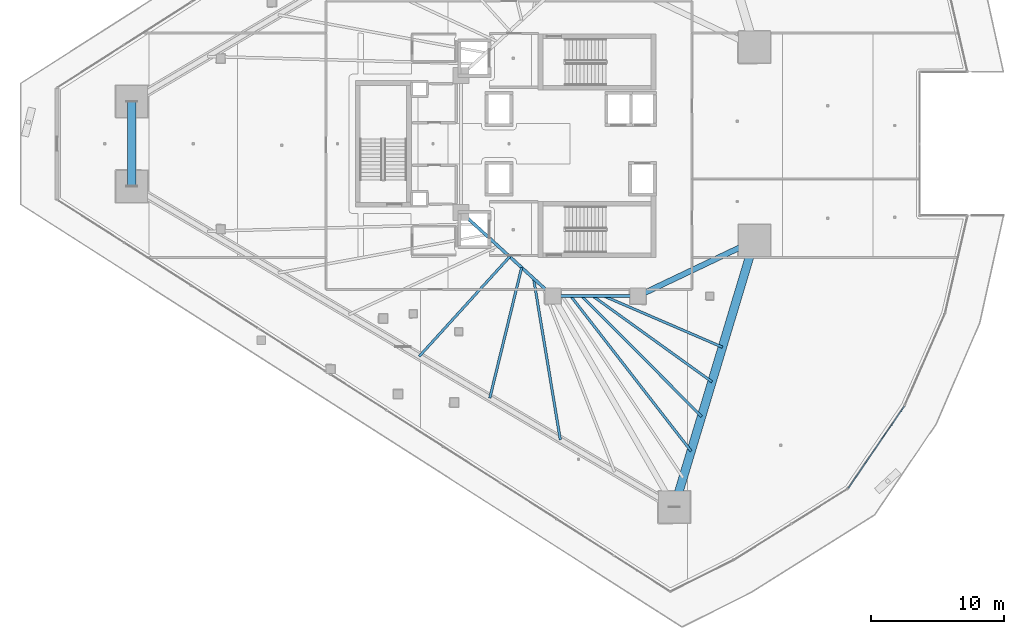
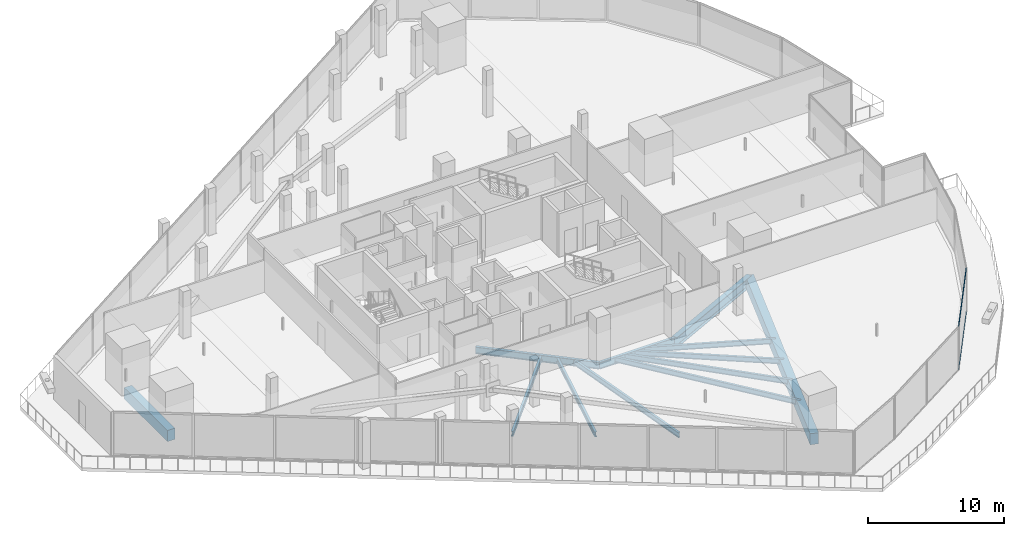
# One storey, part 11 of 43: 12 beams, 2 members, 1 element without a shape of its own.
"""IFC4 building model written with IfcOpenShell, lengths in metres."""

import ifcopenshell
import ifcopenshell.guid

model = None  # the IFC model being written
_history = None  # IfcOwnerHistory: only IFC2X3 demands one
_inside = {}  # id of a spatial element -> (the spatial element, [elements in it])
_under = {}  # id of a project, library or spatial element -> (it, [spatial elements below it])
_declared = {}  # id of a project -> (the project, [libraries it declares])
_typed = {}  # id of a type object -> (the type object, [elements of that type])
_made_of = {}  # id of a material, layer set ... -> (it, [elements and type objects made of it])


def new_model(schema):
    """Start an empty IFC model of exactly this schema.

    Asked for "IFC4X3", IfcOpenShell would pick the latest addendum, in which some entities
    have other attributes; the version numbers below select the first issue.
    IFC2X3 requires an IfcOwnerHistory on every rooted entity: one is made here for all.
    """
    global model, _history
    if schema == "IFC4X3":
        model = ifcopenshell.file(schema_version=(4, 3, 0, 0))
    else:
        model = ifcopenshell.file(schema=schema)
    _inside.clear()
    _under.clear()
    _declared.clear()
    _typed.clear()
    _made_of.clear()
    _history = None
    if model.schema == "IFC2X3":
        org = make("IfcOrganization", Name="unknown")
        user = make(
            "IfcPersonAndOrganization",
            ThePerson=make("IfcPerson", FamilyName="unknown"),
            TheOrganization=org,
        )
        app = make(
            "IfcApplication",
            ApplicationDeveloper=org,
            Version="unknown",
            ApplicationFullName="unknown",
            ApplicationIdentifier="unknown",
        )
        _history = make(
            "IfcOwnerHistory",
            OwningUser=user,
            OwningApplication=app,
            ChangeAction="ADDED",
            CreationDate=0,
        )
    return model


def make(cls, **values):
    """One entity of the class cls with the attributes given. An attribute that is None is left unset."""
    return model.create_entity(
        cls, **{name: value for name, value in values.items() if value is not None}
    )


def rooted(cls, **values):
    """An entity with a GlobalId (a new one), such as an element, a storey or a relation."""
    return make(cls, GlobalId=ifcopenshell.guid.new(), OwnerHistory=_history, **values)


def si_unit(unit_type, name, prefix=None):
    """IfcSIUnit, for example si_unit("LENGTHUNIT", "METRE", prefix="MILLI")."""
    return make("IfcSIUnit", UnitType=unit_type, Prefix=prefix, Name=name)


def assignment(units):
    """IfcUnitAssignment: the units of a project."""
    return None if units is None else make("IfcUnitAssignment", Units=units)


def point(xyz):
    """IfcCartesianPoint."""
    return None if xyz is None else make("IfcCartesianPoint", Coordinates=xyz)


def direction(xyz):
    """IfcDirection."""
    return None if xyz is None else make("IfcDirection", DirectionRatios=xyz)


def frame(location, z_axis=None, x_axis=None):
    """IfcAxis2Placement3D, a coordinate frame: its origin and axes. An axis left out is left unset."""
    return make(
        "IfcAxis2Placement3D",
        Location=point(location),
        Axis=direction(z_axis),
        RefDirection=direction(x_axis),
    )


def frame_2d(location, x_axis=None):
    """IfcAxis2Placement2D, a coordinate frame in the plane: its origin and x axis."""
    return make(
        "IfcAxis2Placement2D", Location=point(location), RefDirection=direction(x_axis)
    )


def origin():
    """The frame at (0, 0, 0) with its axes left unset."""
    return frame((0.0, 0.0, 0.0))


def origin_2d():
    """The frame at (0, 0) in the plane with its x axis left unset."""
    return frame_2d((0.0, 0.0))


def place(relative_to, where):
    """IfcLocalPlacement: puts the frame where relative to a parent placement (None: the world)."""
    return make(
        "IfcLocalPlacement", PlacementRelTo=relative_to, RelativePlacement=where
    )


def context(
    kind, dimensions, precision=None, world=None, true_north=None, identifier=None
):
    """IfcGeometricRepresentationContext, for example the 3D "Model" context."""
    return make(
        "IfcGeometricRepresentationContext",
        ContextIdentifier=identifier,
        ContextType=kind,
        CoordinateSpaceDimension=dimensions,
        Precision=precision,
        WorldCoordinateSystem=world,
        TrueNorth=true_north,
    )


def subcontext(parent, identifier, kind, view, scale=None):
    """IfcGeometricRepresentationSubContext, for example "Body" below "Model"."""
    return make(
        "IfcGeometricRepresentationSubContext",
        ContextIdentifier=identifier,
        ContextType=kind,
        ParentContext=parent,
        TargetScale=scale,
        TargetView=view,
    )


def project(units=None, contexts=None):
    """IfcProject with its units and contexts."""
    return rooted(
        "IfcProject",
        Name="project",
        RepresentationContexts=contexts,
        UnitsInContext=assignment(units),
    )


def spatial(cls, under=None, at=None, **own):
    """A site, building, storey or space (cls), placed at a placement, below another one or the project."""
    s = rooted(cls, ObjectPlacement=at, **own)
    if under is not None:
        _under.setdefault(under.id(), (under, []))[1].append(s)
    return s


def profile(cls, at=None, kind="AREA", **sizes):
    """A parametric profile (cls). Its sizes go by their IFC names, for example OverallWidth=200.0."""
    return make(cls, ProfileType=kind, Position=at, **sizes)


def rectangle(**sizes):
    """IfcRectangleProfileDef."""
    return profile("IfcRectangleProfileDef", **sizes)


def hollow_rectangle(**sizes):
    """IfcRectangleHollowProfileDef."""
    return profile("IfcRectangleHollowProfileDef", **sizes)


def i_section(**sizes):
    """IfcIShapeProfileDef."""
    return profile("IfcIShapeProfileDef", **sizes)


def extrude(swept, where, along, depth):
    """IfcExtrudedAreaSolid: the profile swept, set in the frame where, extruded along a direction by depth."""
    return make(
        "IfcExtrudedAreaSolid",
        SweptArea=swept,
        Position=where,
        ExtrudedDirection=direction(along),
        Depth=depth,
    )


def shape(context_of_items, identifier, shape_type, items):
    """IfcShapeRepresentation: the items that make up one representation, for example the "Body"."""
    return make(
        "IfcShapeRepresentation",
        ContextOfItems=context_of_items,
        RepresentationIdentifier=identifier,
        RepresentationType=shape_type,
        Items=items,
    )


def material(Name=None, Category=None):
    """IfcMaterial."""
    return make("IfcMaterial", Name=Name, Category=Category)


def layer(
    of_material, thickness, ventilated=None, Name=None, Category=None, Priority=None
):
    """IfcMaterialLayer: one layer of a wall or slab, of a material (None: an air gap)."""
    return make(
        "IfcMaterialLayer",
        Material=of_material,
        LayerThickness=thickness,
        IsVentilated=ventilated,
        Name=Name,
        Category=Category,
        Priority=Priority,
    )


def layer_set(layers, Name=None):
    """IfcMaterialLayerSet."""
    return make("IfcMaterialLayerSet", MaterialLayers=layers, LayerSetName=Name)


def material_profile(
    of_material, cross_section, Name=None, Category=None, Priority=None
):
    """IfcMaterialProfile: a cross section and its material."""
    return make(
        "IfcMaterialProfile",
        Name=Name,
        Material=of_material,
        Profile=cross_section,
        Priority=Priority,
        Category=Category,
    )


def profile_set(profiles, Name=None, composite=None):
    """IfcMaterialProfileSet."""
    return make(
        "IfcMaterialProfileSet",
        Name=Name,
        MaterialProfiles=profiles,
        CompositeProfile=composite,
    )


def made_of(thing, what):
    """Note that an element or type object is made of a material, layer set ...; save() writes the relation."""
    if what is not None:
        _made_of.setdefault(what.id(), (what, []))[1].append(thing)
    return thing


def type_object(cls, material=None, **own):
    """A type object (cls), such as IfcWallType, which elements share."""
    return made_of(rooted(cls, **own), material)


def element(
    cls,
    number,
    at=None,
    inside=None,
    cuts=None,
    type_object=None,
    material=None,
    context=None,
    identifier="Body",
    shape_type=None,
    held_by="IfcProductDefinitionShape",
    body=None,
    shapes=None,
    **own,
):
    """One element of the class cls, such as IfcWall. Its Tag is "e" and its number.

    at: its placement. inside: the storey or other place that contains it. cuts: it is an
    opening in that element (IfcRelVoidsElement). A single representation is given by context,
    identifier, shape_type and body (its items); several are given by shapes. held_by: the class
    of the entity that holds the representations. save() writes the other relations.
    """
    e = rooted(cls, Tag="e%d" % number, ObjectPlacement=at, **own)
    if body is not None:
        shapes = [shape(context, identifier, shape_type, body)]
    if shapes is not None:
        e.Representation = make(held_by, Representations=shapes)
    if inside is not None:
        _inside.setdefault(inside.id(), (inside, []))[1].append(e)
    if cuts is not None:
        rooted(
            "IfcRelVoidsElement", RelatingBuildingElement=cuts, RelatedOpeningElement=e
        )
    if type_object is not None:
        _typed.setdefault(type_object.id(), (type_object, []))[1].append(e)
    return made_of(e, material)


def aggregate(whole, parts):
    """IfcRelAggregates: a whole, such as a stair, and the parts it consists of."""
    return rooted("IfcRelAggregates", RelatingObject=whole, RelatedObjects=parts)


def save(model, path):
    """Write the relations noted so far, then the file.

    IfcRelAggregates (storeys below a building ...), IfcRelContainedInSpatialStructure (elements
    in a storey), IfcRelDefinesByType, IfcRelAssociatesMaterial and IfcRelDeclares: one each for
    every whole, place, type object, material and project.
    """
    for whole, parts in _under.values():
        aggregate(whole, parts)
    for where, things in _inside.values():
        rooted(
            "IfcRelContainedInSpatialStructure",
            RelatedElements=things,
            RelatingStructure=where,
        )
    for kind, things in _typed.values():
        rooted("IfcRelDefinesByType", RelatedObjects=things, RelatingType=kind)
    for what, things in _made_of.values():
        rooted("IfcRelAssociatesMaterial", RelatedObjects=things, RelatingMaterial=what)
    for by, libraries in _declared.values():
        rooted("IfcRelDeclares", RelatingContext=by, RelatedDefinitions=libraries)
    model.write(path)


model = new_model("IFC4")

# Units and contexts
model_context = context("Model", 3, precision=1e-05, world=origin(), true_north=direction((0.0, 1.0)))
body_context = subcontext(model_context, "Body", "Model", "MODEL_VIEW")
ifc_project = project(units=[si_unit("LENGTHUNIT", "METRE"), si_unit("AREAUNIT", "SQUARE_METRE"), si_unit("VOLUMEUNIT", "CUBIC_METRE"), si_unit("PLANEANGLEUNIT", "RADIAN"), si_unit("MASSUNIT", "GRAM", prefix="KILO")], contexts=[model_context])

# Site, building, storey
site_placement = place(None, origin())
site = spatial("IfcSite", under=ifc_project, at=site_placement, CompositionType="ELEMENT")
building_placement = place(site_placement, origin())
building = spatial("IfcBuilding", under=site, at=building_placement, Name="Qorvath Tower", CompositionType="ELEMENT")
storey_placement = place(building_placement, frame((0.0, 0.0, 36.60009765625)))
storey = spatial("IfcBuildingStorey", under=building, at=storey_placement, Name="L07", CompositionType="ELEMENT", Elevation=36.60009765625)

# Beams
ifc_material_1 = material(Name="Steel ASTM A992 Grade 50", Category="steel")
ifc_material_profile_1 = material_profile(ifc_material_1, i_section(OverallWidth=0.422119140625, OverallDepth=0.93310546875, WebThickness=0.021240234375, FlangeThickness=0.039794921875, FilletRadius=0.02392578125, at=origin_2d()), Name="W36x262")
ifc_profile_set_1 = profile_set([ifc_material_profile_1], Name="Steel ASTM A992 Grade 50")
beam_type_1 = type_object("IfcBeamType", Name="BM-FG1", PredefinedType="BEAM", material=ifc_profile_set_1)
beam_1_placement = place(storey_placement, frame((-17.199951171875, -11.449951171875, -0.74658203125), z_axis=(0.902955751435, 0.429733534821, 0.0), x_axis=(-0.429733534821, 0.902955751435, 0.0)))
element("IfcBeam", 1, at=beam_1_placement, inside=storey, type_object=beam_type_1, Name="Radial Floor Girder CC3-MC4 L07", PredefinedType="BEAM", context=body_context, shape_type="SweptSolid", body=[
    extrude(i_section(OverallWidth=0.422119140625, OverallDepth=0.93310546875, WebThickness=0.021240234375, FlangeThickness=0.039794921875, FilletRadius=0.02392578125, at=origin_2d()), origin(), (0.0, 0.0, 1.0), 9.7119140625),
])
ifc_material_2 = material(Name="Steel ASTM A992 Grade 50", Category="steel")
ifc_material_profile_2 = material_profile(ifc_material_2, i_section(OverallWidth=0.22998046875, OverallDepth=0.616943359375, WebThickness=0.01318359375, FlangeThickness=0.022216796875, FilletRadius=0.014892578125, at=origin_2d()), Name="W24x94")
ifc_profile_set_2 = profile_set([ifc_material_profile_2], Name="Steel ASTM A992 Grade 50")
beam_type_2 = type_object("IfcBeamType", Name="BM-FG6", PredefinedType="BEAM", material=ifc_profile_set_2)
beam_2_placement = place(storey_placement, frame((-17.199951171875, -11.449951171875, -0.58837890625), z_axis=(-1.0, 0.0, 0.0), x_axis=(0.0, -1.0, 0.0)))
element("IfcBeam", 2, at=beam_2_placement, inside=storey, type_object=beam_type_2, Name="Core Ring Girder CC3-CC4 L07", PredefinedType="BEAM", context=body_context, shape_type="SweptSolid", body=[
    extrude(i_section(OverallWidth=0.22998046875, OverallDepth=0.616943359375, WebThickness=0.01318359375, FlangeThickness=0.022216796875, FilletRadius=0.014892578125, at=origin_2d()), origin(), (0.0, 0.0, 1.0), 6.400146484375),
])
beam_3_placement = place(storey_placement, frame((-23.60009765625, -11.449951171875, -0.58837890625), z_axis=(-0.73847813985, 0.6742774184, 0.0), x_axis=(-0.6742774184, -0.73847813985, 0.0)))
element("IfcBeam", 3, at=beam_3_placement, inside=storey, type_object=beam_type_2, Name="Core Ring Girder CC4-CC6 L07", PredefinedType="BEAM", context=body_context, shape_type="SweptSolid", body=[
    extrude(i_section(OverallWidth=0.22998046875, OverallDepth=0.616943359375, WebThickness=0.01318359375, FlangeThickness=0.022216796875, FilletRadius=0.014892578125, at=origin_2d()), origin(), (0.0, 0.0, 1.0), 9.343505859375),
])
ifc_material_3 = material(Name="Steel ASTM A992 Grade 50", Category="steel")
ifc_material_profile_3 = material_profile(ifc_material_3, i_section(OverallWidth=0.18994140625, OverallDepth=0.45703125, WebThickness=0.009033203125, FlangeThickness=0.014404296875, FilletRadius=0.011962890625, at=origin_2d()), Name="W18x50")
ifc_profile_set_3 = profile_set([ifc_material_profile_3], Name="Steel ASTM A992 Grade 50")
beam_type_3 = type_object("IfcBeamType", Name="BM-FJ2", PredefinedType="JOIST", material=ifc_profile_set_3)
beam_4_placement = place(storey_placement, frame((-19.760009765625, -11.449951171875, -0.508544921875), z_axis=(0.918135537923, -0.396266493667, 0.0), x_axis=(0.396266493667, 0.918135537923, 0.0)))
element("IfcBeam", 4, at=beam_4_placement, inside=storey, type_object=beam_type_3, Name="Composite Floor Joist SE3 L07", PredefinedType="JOIST", context=body_context, shape_type="SweptSolid", body=[
    extrude(i_section(OverallWidth=0.18994140625, OverallDepth=0.45703125, WebThickness=0.009033203125, FlangeThickness=0.014404296875, FilletRadius=0.011962890625, at=origin_2d()), origin(), (0.0, 0.0, 1.0), 9.7109375),
])
beam_5_placement = place(storey_placement, frame((-20.592041015625, -11.449951171875, -0.508544921875), z_axis=(0.811469358397, -0.584394969505, 0.0), x_axis=(0.584394969505, 0.811469358397, 0.0)))
element("IfcBeam", 5, at=beam_5_placement, inside=storey, type_object=beam_type_3, Name="Composite Floor Joist SE4 L07", PredefinedType="JOIST", context=body_context, shape_type="SweptSolid", body=[
    extrude(i_section(OverallWidth=0.18994140625, OverallDepth=0.45703125, WebThickness=0.009033203125, FlangeThickness=0.014404296875, FilletRadius=0.011962890625, at=origin_2d()), origin(), (0.0, 0.0, 1.0), 11.046142578125),
])
beam_6_placement = place(storey_placement, frame((-21.424072265625, -11.449951171875, -0.508544921875), z_axis=(0.705107654599, -0.709100271771, 0.0), x_axis=(0.709100271771, 0.705107654599, 0.0)))
element("IfcBeam", 6, at=beam_6_placement, inside=storey, type_object=beam_type_3, Name="Composite Floor Joist SE5 L07", PredefinedType="JOIST", context=body_context, shape_type="SweptSolid", body=[
    extrude(i_section(OverallWidth=0.18994140625, OverallDepth=0.45703125, WebThickness=0.009033203125, FlangeThickness=0.014404296875, FilletRadius=0.011962890625, at=origin_2d()), origin(), (0.0, 0.0, 1.0), 12.780029296875),
])
beam_7_placement = place(storey_placement, frame((-22.256103515625, -11.449951171875, -0.508544921875), z_axis=(0.613206963859, -0.789922286984, 0.0), x_axis=(0.789922286984, 0.613206963859, 0.0)))
element("IfcBeam", 7, at=beam_7_placement, inside=storey, type_object=beam_type_3, Name="Composite Floor Joist SE6 L07", PredefinedType="JOIST", context=body_context, shape_type="SweptSolid", body=[
    extrude(i_section(OverallWidth=0.18994140625, OverallDepth=0.45703125, WebThickness=0.009033203125, FlangeThickness=0.014404296875, FilletRadius=0.011962890625, at=origin_2d()), origin(), (0.0, 0.0, 1.0), 14.77294921875),
])
beam_8_placement = place(storey_placement, frame((-26.843017578125, -8.489013671875, -0.508544921875), z_axis=(-0.672128980215, -0.740434084815, 0.0), x_axis=(0.740434084815, -0.672128980215, 0.0)))
element("IfcBeam", 8, at=beam_8_placement, inside=storey, type_object=beam_type_3, Name="Composite Floor Joist SW4 L07", PredefinedType="JOIST", context=body_context, shape_type="SweptSolid", body=[
    extrude(i_section(OverallWidth=0.18994140625, OverallDepth=0.45703125, WebThickness=0.009033203125, FlangeThickness=0.014404296875, FilletRadius=0.011962890625, at=origin_2d()), origin(), (0.0, 0.0, 1.0), 10.1259765625),
])
beam_9_placement = place(storey_placement, frame((-25.946044921875, -9.30810546875, -0.508544921875), z_axis=(-0.237165308581, -0.97146930801, 0.0), x_axis=(0.97146930801, -0.237165308581, 0.0)))
element("IfcBeam", 9, at=beam_9_placement, inside=storey, type_object=beam_type_3, Name="Composite Floor Joist SW5 L07", PredefinedType="JOIST", context=body_context, shape_type="SweptSolid", body=[
    extrude(i_section(OverallWidth=0.18994140625, OverallDepth=0.45703125, WebThickness=0.009033203125, FlangeThickness=0.014404296875, FilletRadius=0.011962890625, at=origin_2d()), origin(), (0.0, 0.0, 1.0), 10.104736328125),
])
beam_10_placement = place(storey_placement, frame((-25.049072265625, -10.126953125, -0.508544921875), z_axis=(0.163639384475, -0.98652022374, 0.0), x_axis=(0.98652022374, 0.163639384475, 0.0)))
element("IfcBeam", 10, at=beam_10_placement, inside=storey, type_object=beam_type_3, Name="Composite Floor Joist SW6 L07", PredefinedType="JOIST", context=body_context, shape_type="SweptSolid", body=[
    extrude(i_section(OverallWidth=0.18994140625, OverallDepth=0.45703125, WebThickness=0.009033203125, FlangeThickness=0.014404296875, FilletRadius=0.011962890625, at=origin_2d()), origin(), (0.0, 0.0, 1.0), 12.301025390625),
])
ifc_material_4 = material(Name="Concrete C50/60", Category="concrete")
ifc_material_profile_4 = material_profile(ifc_material_4, rectangle(XDim=0.64990234375, YDim=1.0, at=origin_2d()), Name="RCB 1000x650")
ifc_profile_set_4 = profile_set([ifc_material_profile_4], Name="Concrete C50/60")
beam_type_4 = type_object("IfcBeamType", Name="BM-RCB1", PredefinedType="SPANDREL", material=ifc_profile_set_4)
beam_11_placement = place(storey_placement, frame((-55.282958984375, 3.194580078125, -0.780029296875), z_axis=(0.0, -1.0, 0.0), x_axis=(1.0, 0.0, 0.0)))
element("IfcBeam", 11, at=beam_11_placement, inside=storey, type_object=beam_type_4, Name="Perimeter Loggia Frame Beam MC1-MC2 L07", PredefinedType="SPANDREL", context=body_context, shape_type="SweptSolid", body=[
    extrude(rectangle(XDim=0.64990234375, YDim=1.0, at=origin_2d()), origin(), (0.0, 0.0, 1.0), 6.38916015625),
])
beam_12_placement = place(storey_placement, frame((-14.46435546875, -27.330810546875, -0.780029296875), z_axis=(0.288118908799, 0.957594639914, 0.0), x_axis=(-0.957594639914, 0.288118908799, 0.0)))
element("IfcBeam", 12, at=beam_12_placement, inside=storey, type_object=beam_type_4, Name="Perimeter Loggia Frame Beam MC3-MC4 L07", PredefinedType="SPANDREL", context=body_context, shape_type="SweptSolid", body=[
    extrude(rectangle(XDim=0.64990234375, YDim=1.0, at=origin_2d()), origin(), (0.0, 0.0, 1.0), 20.942626953125),
])

# Curtain wall, members
ifc_material_5 = material(Name="Anodised aluminium and triple low-E glass", Category="aluminium")
ifc_layer = layer(ifc_material_5, 0.179931640625)
ifc_layer_set = layer_set([ifc_layer], Name="CW-SYS-2")
curtain_wall_type = type_object("IfcCurtainWallType", Name="CW-SYS-2", PredefinedType="NOTDEFINED", material=ifc_layer_set)
curtain_wall_placement = place(storey_placement, origin())
curtain_wall = element("IfcCurtainWall", 13, at=curtain_wall_placement, inside=storey, type_object=curtain_wall_type, Name="Curtain Wall CW-2 CW-T-L07-5.1", PredefinedType="NOTDEFINED")
ifc_material_6 = material(Name="Anodised aluminium 6063-T6", Category="aluminium")
ifc_material_profile_5 = material_profile(ifc_material_6, hollow_rectangle(XDim=0.06494140625, YDim=0.159912109375, WallThickness=0.00341796875, InnerFilletRadius=0.00341796875, OuterFilletRadius=0.007080078125, at=origin_2d()), Name="CWT 160x65")
ifc_profile_set_5 = profile_set([ifc_material_profile_5], Name="Anodised aluminium 6063-T6")
member_type = type_object("IfcMemberType", Name="CWT-160", PredefinedType="USERDEFINED", material=ifc_profile_set_5)
member_1_placement = place(storey_placement, frame((-1.3544921875, -25.89013671875, 0.032470703125), z_axis=(0.563875869111, 0.825859554788, 0.0), x_axis=(-0.825859554788, 0.563875869111, 0.0)))
member_1 = element("IfcMember", 14, at=member_1_placement, type_object=member_type, Name="CW-2 transom 1.1", ObjectType="TRANSOM", PredefinedType="USERDEFINED", context=body_context, shape_type="SweptSolid", body=[
    extrude(hollow_rectangle(XDim=0.06494140625, YDim=0.159912109375, WallThickness=0.00341796875, InnerFilletRadius=0.00341796875, OuterFilletRadius=0.007080078125, at=origin_2d()), origin(), (0.0, 0.0, 1.0), 7.432861328125),
])
member_2_placement = place(storey_placement, frame((-1.3544921875, -25.89013671875, 3.887451171875), z_axis=(0.563875869111, 0.825859554788, 0.0), x_axis=(-0.825859554788, 0.563875869111, 0.0)))
member_2 = element("IfcMember", 15, at=member_2_placement, type_object=member_type, Name="CW-2 transom 1.2", ObjectType="TRANSOM", PredefinedType="USERDEFINED", context=body_context, shape_type="SweptSolid", body=[
    extrude(hollow_rectangle(XDim=0.06494140625, YDim=0.159912109375, WallThickness=0.00341796875, InnerFilletRadius=0.00341796875, OuterFilletRadius=0.007080078125, at=origin_2d()), origin(), (0.0, 0.0, 1.0), 7.432861328125),
])
aggregate(curtain_wall, [member_1, member_2])

save(model, "model.ifc")
